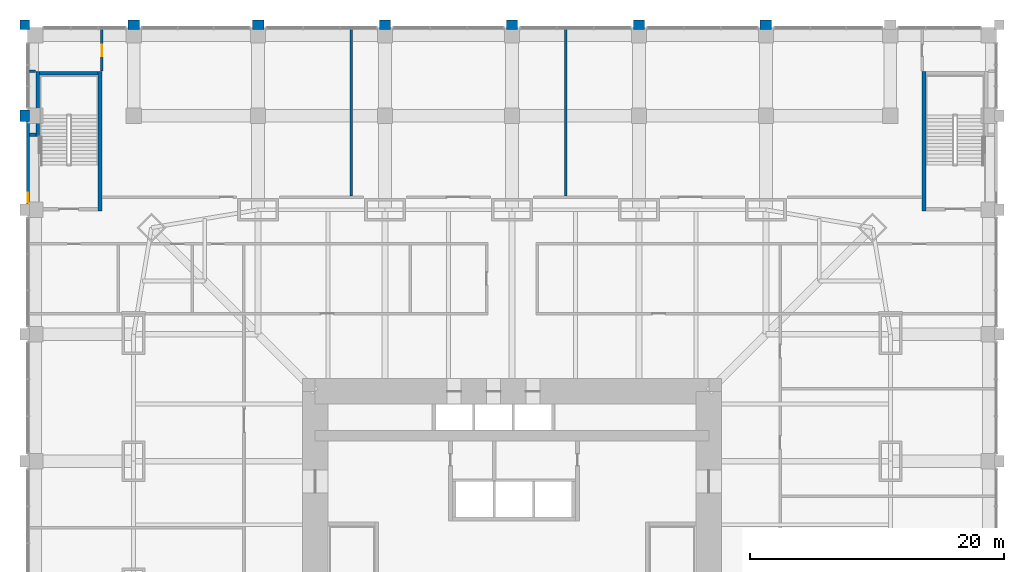
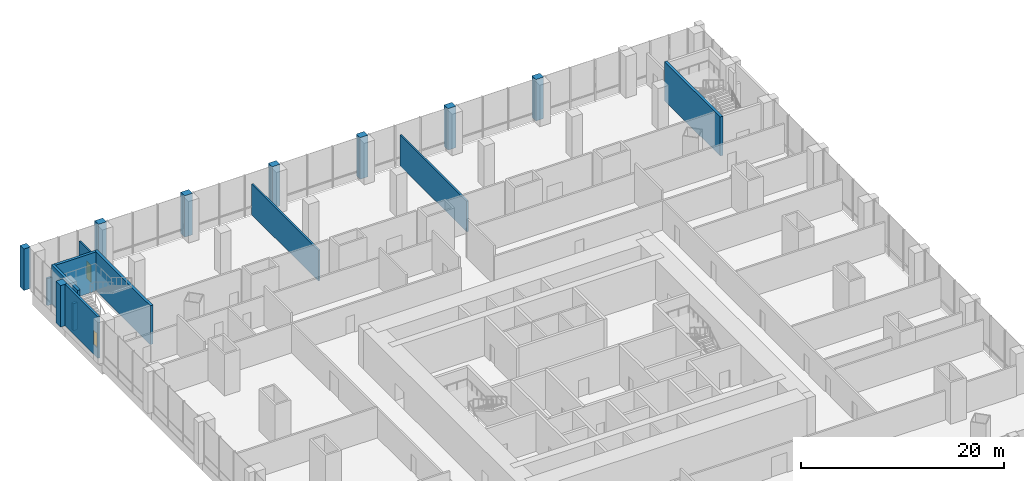
# One storey, part 20 of 24: 18 walls, 1 door, 1 window, 2 openings.
"""IFC4 building model written with IfcOpenShell, lengths in metres."""

from ifc_helpers import new_model, si_unit, direction, frame, frame_2d, origin, place, context, subcontext, project, spatial, rectangle, extrude, material, layer, layer_set, type_object, element, fill, save


model = new_model("IFC4")

# Units and contexts
model_context = context("Model", 3, precision=1e-05, world=origin(), true_north=direction((0.0, 1.0)))
body_context = subcontext(model_context, "Body", "Model", "MODEL_VIEW")
ifc_project = project(units=[si_unit("LENGTHUNIT", "METRE"), si_unit("AREAUNIT", "SQUARE_METRE"), si_unit("VOLUMEUNIT", "CUBIC_METRE"), si_unit("PLANEANGLEUNIT", "RADIAN"), si_unit("MASSUNIT", "GRAM", prefix="KILO")], contexts=[model_context])

# Site, building, storey
site_placement = place(None, origin())
site = spatial("IfcSite", under=ifc_project, at=site_placement, CompositionType="ELEMENT")
building_placement = place(site_placement, origin())
building = spatial("IfcBuilding", under=site, at=building_placement, Name="Khuree Lantern Residences", CompositionType="ELEMENT")
storey_placement = place(building_placement, frame((0.0, 0.0, 6.0)))
storey = spatial("IfcBuildingStorey", under=building, at=storey_placement, Name="L01", CompositionType="ELEMENT", Elevation=6.0)

# Walls
ifc_material_1 = material(Name="Dense concrete blockwork", Category="masonry")
ifc_layer_1 = layer(ifc_material_1, 0.300048828125)
ifc_layer_set_1 = layer_set([ifc_layer_1], Name="CORE PARTITION WALL CPW300 EI 120")
wall_type_1 = type_object("IfcWallType", Name="CORE PARTITION WALL CPW300 EI 120", PredefinedType="PARTITIONING", material=ifc_layer_set_1)
wall_1_placement = place(storey_placement, frame((-38.0, 35.7060546875, 0.0), z_axis=(0.0, 0.0, 1.0), x_axis=(1.0, 0.0, 0.0)))
element("IfcWall", 1, at=wall_1_placement, inside=storey, type_object=wall_type_1, Name="L01 STAIR ST3 WALL X", PredefinedType="PARTITIONING", context=body_context, shape_type="SweptSolid", body=[
    extrude(rectangle(XDim=0.5, YDim=0.300048828125, at=frame_2d((0.25, 0.0))), origin(), (0.0, 0.0, 1.0), 3.27001953125),
])
ifc_material_2 = material(Name="Flamed granite cladding on blockwork", Category="masonry")
ifc_layer_2 = layer(ifc_material_2, 0.75)
ifc_layer_set_2 = layer_set([ifc_layer_2], Name="PODIUM PIER PR1 900X750")
wall_type_2 = type_object("IfcWallType", Name="PODIUM PIER PR1 900X750", PredefinedType="SOLIDWALL", material=ifc_layer_set_2)
for number, where, z_axis, x_axis, name in (
    (2, (20.449951171875, 44.375, 0.0), (0.0, 0.0, 1.0), (-1.0, 0.0, 0.0), "L01 NORTH FACE PIER 2"),
    (3, (10.449951171875, 44.375, 0.0), (0.0, 0.0, 1.0), (-1.0, 0.0, 0.0), "L01 NORTH FACE PIER 3"),
    (4, (0.449951171875, 44.375, 0.0), (0.0, 0.0, 1.0), (-1.0, 0.0, 0.0), "L01 NORTH FACE PIER 4"),
    (5, (-9.550048828125, 44.375, 0.0), (0.0, 0.0, 1.0), (-1.0, 0.0, 0.0), "L01 NORTH FACE PIER 5"),
    (6, (-19.550048828125, 44.375, 0.0), (0.0, 0.0, 1.0), (-1.0, 0.0, 0.0), "L01 NORTH FACE PIER 6"),
    (7, (-29.35009765625, 44.375, 0.0), (0.0, 0.0, 1.0), (-1.0, 0.0, 0.0), "L01 NORTH FACE PIER 7"),
):
    element("IfcWall", number, at=place(storey_placement, frame(where, z_axis=z_axis, x_axis=x_axis)), inside=storey, type_object=wall_type_2, Name=name, PredefinedType="SOLIDWALL", context=body_context, shape_type="SweptSolid", body=[
        extrude(rectangle(XDim=0.89990234375, YDim=0.75, at=frame_2d((0.449951171875, 0.0))), origin(), (0.0, 0.0, 1.0), 5.0),
    ])
wall_2_placement = place(storey_placement, frame((-38.0, 44.375, 0.0), z_axis=(0.0, 0.0, 1.0), x_axis=(-1.0, 0.0, 0.0)))
element("IfcWall", 8, at=wall_2_placement, inside=storey, type_object=wall_type_2, Name="L01 NORTH FACE PIER 8", PredefinedType="SOLIDWALL", context=body_context, shape_type="SweptSolid", body=[
    extrude(rectangle(XDim=0.75, YDim=0.75, at=frame_2d((0.375, 0.0))), origin(), (0.0, 0.0, 1.0), 5.0),
])
wall_3_placement = place(storey_placement, frame((-38.375, 37.64990234375, 0.0), z_axis=(0.0, 0.0, 1.0), x_axis=(0.0, -1.0, 0.0)))
element("IfcWall", 9, at=wall_3_placement, inside=storey, type_object=wall_type_2, Name="L01 WEST FACE PIER 1", PredefinedType="SOLIDWALL", context=body_context, shape_type="SweptSolid", body=[
    extrude(rectangle(XDim=0.89990234375, YDim=0.75, at=frame_2d((0.449951171875, 0.0))), origin(), (0.0, 0.0, 1.0), 5.0),
])

# Wall, opening, window
ifc_layer_3 = layer(ifc_material_2, 0.25)
ifc_layer_set_3 = layer_set([ifc_layer_3], Name="PODIUM STONE WALL SW1 250")
wall_type_3 = type_object("IfcWallType", Name="PODIUM STONE WALL SW1 250", PredefinedType="SOLIDWALL", material=ifc_layer_set_3)
wall_4_placement = place(storey_placement, frame((-38.125, 36.75, 0.0), z_axis=(0.0, 0.0, 1.0), x_axis=(0.0, -1.0, 0.0)))
wall_4 = element("IfcWall", 10, at=wall_4_placement, inside=storey, type_object=wall_type_3, Name="L01 WEST FACE BAY 2 STONE WALL", PredefinedType="SOLIDWALL", context=body_context, shape_type="SweptSolid", body=[
    extrude(rectangle(XDim=6.5, YDim=0.25, at=frame_2d((3.25, 0.0))), origin(), (0.0, 0.0, 1.0), 5.0),
])
opening_1_placement = place(wall_4_placement, frame((5.60009765625, 0.0, 1.199951171875)))
opening_1 = element("IfcOpeningElement", 11, at=opening_1_placement, cuts=wall_4, Name="Opening L01-W02", PredefinedType="OPENING", context=body_context, shape_type="SweptSolid", body=[
    extrude(rectangle(XDim=0.75, YDim=1.699951171875, at=frame_2d((0.375, 0.85009765625))), frame((0.0, 0.135009765625, 0.0), z_axis=(0.0, -1.0, 0.0), x_axis=(1.0, 0.0, 0.0)), (0.0, 0.0, 1.0), 0.27001953125),
])
ifc_material_3 = material(Name="Aluminium frame, triple glazing", Category="aluminium")
window_type = type_object("IfcWindowType", Name="STAIR WINDOW W1 750X1700", PartitioningType="SINGLE_PANEL", PredefinedType="WINDOW", material=ifc_material_3)
window_placement = place(opening_1_placement, origin())
window = element("IfcWindow", 12, at=window_placement, inside=storey, type_object=window_type, Name="Stair ST3 window L01-W02", OverallHeight=1.699951171875, OverallWidth=0.75, PartitioningType="SINGLE_PANEL", PredefinedType="WINDOW", context=body_context, shape_type="SweptSolid", body=[
    extrude(rectangle(XDim=0.75, YDim=1.699951171875, at=frame_2d((0.375, 0.85009765625))), frame((0.0, 0.030029296875, 0.0), z_axis=(0.0, -1.0, 0.0), x_axis=(1.0, 0.0, 0.0)), (0.0, 0.0, 1.0), 0.06005859375),
])
fill(opening_1, window)

# Walls
ifc_layer_4 = layer(ifc_material_1, 0.199951171875)
ifc_layer_set_4 = layer_set([ifc_layer_4], Name="ROOM WALL RMW200")
wall_type_4 = type_object("IfcWallType", Name="ROOM WALL RMW200", PredefinedType="SOLIDWALL", material=ifc_layer_set_4)
for number, where, z_axis, x_axis, name in (
    (13, (-12.6669921875, 30.89990234375, 0.0), (0.0, 0.0, 1.0), (0.0, 1.0, 0.0), "L01 ROOM WALL 41"),
    (14, (4.221923828125, 30.89990234375, 0.0), (0.0, 0.0, 1.0), (0.0, 1.0, 0.0), "L01 ROOM WALL 42"),
):
    element("IfcWall", number, at=place(storey_placement, frame(where, z_axis=z_axis, x_axis=x_axis)), inside=storey, type_object=wall_type_4, Name=name, PredefinedType="SOLIDWALL", context=body_context, shape_type="SweptSolid", body=[
        extrude(rectangle(XDim=13.175048828125, YDim=0.199951171875, at=frame_2d((6.58740234375, 0.0))), origin(), (0.0, 0.0, 1.0), 3.699951171875),
    ])
wall_5_placement = place(storey_placement, frame((-38.074951171875, 40.699951171875, 0.0), z_axis=(0.0, 0.0, 1.0), x_axis=(1.0, 0.0, 0.0)))
element("IfcWall", 15, at=wall_5_placement, inside=storey, type_object=wall_type_4, Name="L01 ROOM WALL 43", PredefinedType="SOLIDWALL", context=body_context, shape_type="SweptSolid", body=[
    extrude(rectangle(XDim=0.554931640625, YDim=0.199951171875, at=frame_2d((0.27734375, 0.0))), origin(), (0.0, 0.0, 1.0), 3.27001953125),
])

# Wall, opening, door
wall_6_placement = place(storey_placement, frame((-32.300048828125, 40.719970703125, 0.0), z_axis=(0.0, 0.0, 1.0), x_axis=(0.0, 1.0, 0.0)))
wall_6 = element("IfcWall", 16, at=wall_6_placement, inside=storey, type_object=wall_type_4, Name="L01 ROOM WALL 45", PredefinedType="SOLIDWALL", context=body_context, shape_type="SweptSolid", body=[
    extrude(rectangle(XDim=3.35498046875, YDim=0.199951171875, at=frame_2d((1.677490234375, 0.0))), origin(), (0.0, 0.0, 1.0), 3.699951171875),
])
opening_2_placement = place(wall_6_placement, frame((1.18994140625, 0.0, 0.0)))
opening_2 = element("IfcOpeningElement", 17, at=opening_2_placement, cuts=wall_6, Name="Opening 01-042", PredefinedType="OPENING", context=body_context, shape_type="SweptSolid", body=[
    extrude(rectangle(XDim=0.89990234375, YDim=2.10009765625, at=frame_2d((0.449951171875, 1.050048828125))), frame((0.0, 0.10986328125, 0.0), z_axis=(0.0, -1.0, 0.0), x_axis=(1.0, 0.0, 0.0)), (0.0, 0.0, 1.0), 0.219970703125),
])
ifc_material_4 = material(Name="Timber door leaf in hardwood frame", Category="wood")
door_type = type_object("IfcDoorType", Name="WC DOOR 900X2100", OperationType="SINGLE_SWING_LEFT", PredefinedType="DOOR", material=ifc_material_4)
door_placement = place(opening_2_placement, origin())
door = element("IfcDoor", 18, at=door_placement, inside=storey, type_object=door_type, Name="Cleaner's store door 01-042", OperationType="SINGLE_SWING_LEFT", OverallHeight=2.10009765625, OverallWidth=0.89990234375, PredefinedType="DOOR", context=body_context, shape_type="SweptSolid", body=[
    extrude(rectangle(XDim=0.89990234375, YDim=2.10009765625, at=frame_2d((0.449951171875, 1.050048828125))), frame((0.0, 0.02490234375, 0.0), z_axis=(0.0, -1.0, 0.0), x_axis=(1.0, 0.0, 0.0)), (0.0, 0.0, 1.0), 0.050048828125),
])
fill(opening_2, door)

# Walls
ifc_material_5 = material(Name="Concrete C50/60", Category="concrete")
ifc_layer_5 = layer(ifc_material_5, 0.300048828125)
ifc_layer_set_5 = layer_set([ifc_layer_5], Name="STAIR WALL SRW300 C50/60 REI 240")
wall_type_5 = type_object("IfcWallType", Name="STAIR WALL SRW300 C50/60 REI 240", PredefinedType="SOLIDWALL", material=ifc_layer_set_5)
wall_7_placement = place(storey_placement, frame((-37.35009765625, 35.555908203125, 0.0), z_axis=(0.0, 0.0, 1.0), x_axis=(0.0, 1.0, 0.0)))
element("IfcWall", 19, at=wall_7_placement, inside=storey, type_object=wall_type_5, Name="L01 STAIR ST3 WALL O", PredefinedType="SOLIDWALL", context=body_context, shape_type="SweptSolid", body=[
    extrude(rectangle(XDim=5.14404296875, YDim=0.300048828125, at=frame_2d((2.572021484375, 0.0))), origin(), (0.0, 0.0, 1.0), 4.699951171875),
])
wall_8_placement = place(storey_placement, frame((-32.449951171875, 29.699951171875, 0.0), z_axis=(0.0, 0.0, 1.0), x_axis=(0.0, 1.0, 0.0)))
element("IfcWall", 20, at=wall_8_placement, inside=storey, type_object=wall_type_5, Name="L01 STAIR ST3 WALL I", PredefinedType="SOLIDWALL", context=body_context, shape_type="SweptSolid", body=[
    extrude(rectangle(XDim=11.0, YDim=0.300048828125, at=frame_2d((5.5, 0.0))), origin(), (0.0, 0.0, 1.0), 4.699951171875),
])
wall_9_placement = place(storey_placement, frame((-37.199951171875, 40.550048828125, 0.0), z_axis=(0.0, 0.0, 1.0), x_axis=(1.0, 0.0, 0.0)))
element("IfcWall", 21, at=wall_9_placement, inside=storey, type_object=wall_type_5, Name="L01 STAIR ST3 WALL N", PredefinedType="SOLIDWALL", context=body_context, shape_type="SweptSolid", body=[
    extrude(rectangle(XDim=4.599853515625, YDim=0.300048828125, at=frame_2d((2.2998046875, 0.0))), origin(), (0.0, 0.0, 1.0), 4.699951171875),
])
wall_10_placement = place(storey_placement, frame((32.449951171875, 29.699951171875, 0.0), z_axis=(0.0, 0.0, 1.0), x_axis=(0.0, 1.0, 0.0)))
element("IfcWall", 22, at=wall_10_placement, inside=storey, type_object=wall_type_5, Name="L01 STAIR ST4 WALL I", PredefinedType="SOLIDWALL", context=body_context, shape_type="SweptSolid", body=[
    extrude(rectangle(XDim=11.0, YDim=0.300048828125, at=frame_2d((5.5, 0.0))), origin(), (0.0, 0.0, 1.0), 4.699951171875),
])

save(model, "model.ifc")
